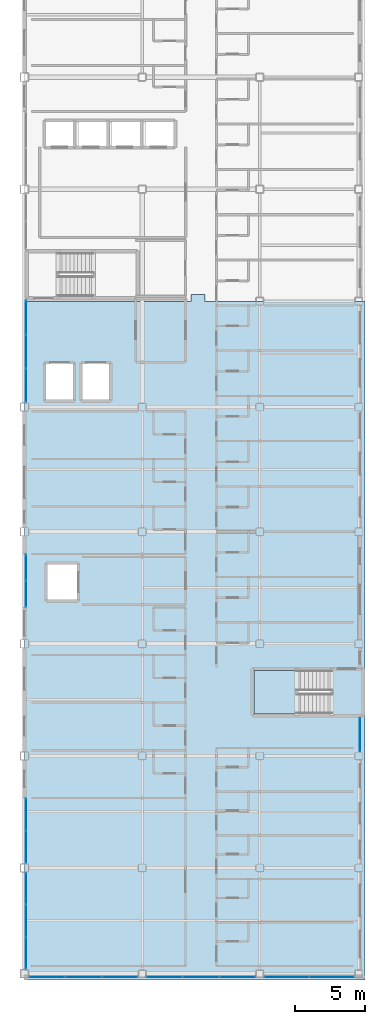
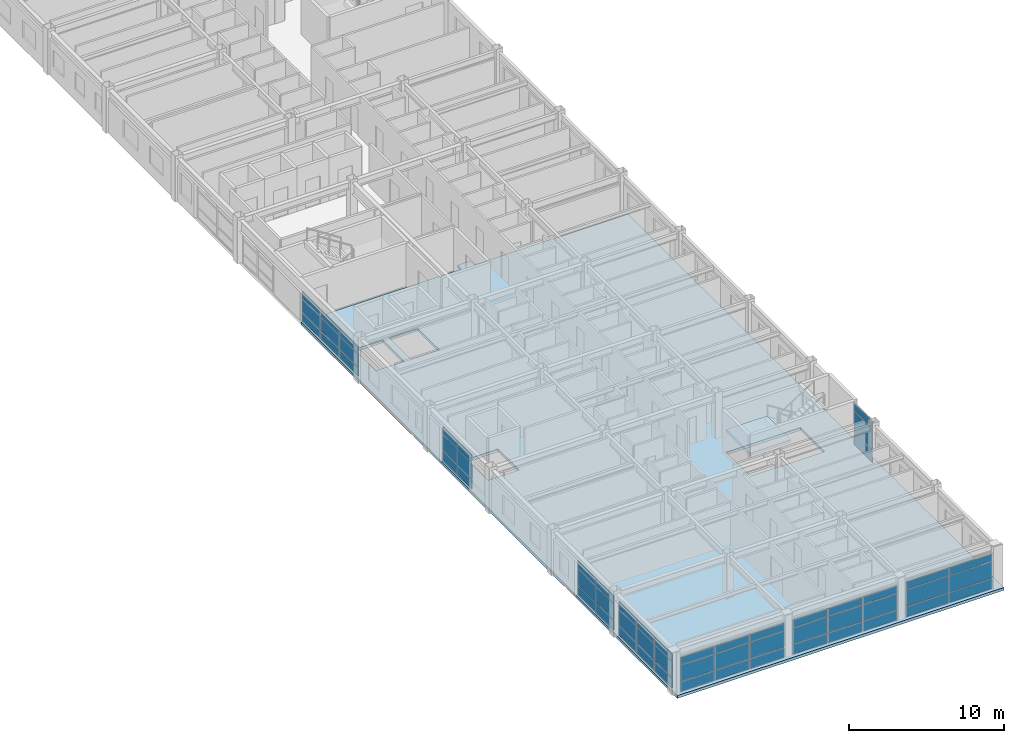
# One storey, part 22 of 36: 57 plates, 2 slabs, 9 elements without a shape of their own.
"""IFC4 building model written with IfcOpenShell, lengths in metres."""

from ifc_helpers import new_model, si_unit, direction, frame, origin, origin_2d, place, context, subcontext, project, spatial, polyline, rectangle, outline, extrude, material, layer, layer_set, type_object, element, aggregate, save


model = new_model("IFC4")

# Units and contexts
model_context = context("Model", 3, precision=1e-05, world=origin(), true_north=direction((0.0, 1.0)))
body_context = subcontext(model_context, "Body", "Model", "MODEL_VIEW")
ifc_project = project(units=[si_unit("LENGTHUNIT", "METRE"), si_unit("AREAUNIT", "SQUARE_METRE"), si_unit("VOLUMEUNIT", "CUBIC_METRE"), si_unit("PLANEANGLEUNIT", "RADIAN"), si_unit("MASSUNIT", "GRAM", prefix="KILO")], contexts=[model_context])

# Site, building, storey
site_placement = place(None, origin())
site = spatial("IfcSite", under=ifc_project, at=site_placement, CompositionType="ELEMENT")
building_placement = place(site_placement, origin())
building = spatial("IfcBuilding", under=site, at=building_placement, Name="Kazehara Bluff Congress Hotel", CompositionType="ELEMENT")
storey_placement = place(building_placement, frame((0.0, 0.0, 28.199951171875)))
storey = spatial("IfcBuildingStorey", under=building, at=storey_placement, Name="L06", CompositionType="ELEMENT", Elevation=28.199951171875)

# Curtain wall, plates
ifc_material_1 = material(Name="Anodised aluminium", Category="aluminium")
ifc_layer_1 = layer(ifc_material_1, 0.159912109375)
ifc_layer_set_1 = layer_set([ifc_layer_1], Name="Anodised aluminium")
curtain_wall_type_1 = type_object("IfcCurtainWallType", Name="TP-CW-171", PredefinedType="NOTDEFINED", material=ifc_layer_set_1)
curtain_wall_1_placement = place(storey_placement, origin())
curtain_wall_1 = element("IfcCurtainWall", 1, at=curtain_wall_1_placement, inside=storey, type_object=curtain_wall_type_1, Name="L06 curtain wall CW-171 CW-ENC-V5-L06-14791-22", PredefinedType="NOTDEFINED")
ifc_material_2 = material(Name="Insulated low-E double glazing", Category="glass")
ifc_layer_2 = layer(ifc_material_2, 0.028076171875)
ifc_layer_set_2 = layer_set([ifc_layer_2], Name="Insulated low-E double glazing")
plate_type_1 = type_object("IfcPlateType", Name="TP-CWP-01", PredefinedType="CURTAIN_PANEL", material=ifc_layer_set_2)
plate_1_placement = place(storey_placement, frame((150.504638671875, 0.219970703125, 0.06494140625), z_axis=(0.0, 0.0, 1.0), x_axis=(-1.0, 0.0, 0.0)))
plate_1 = element("IfcPlate", 2, at=plate_1_placement, type_object=plate_type_1, Name="CW-171 panel 1.1", PredefinedType="CURTAIN_PANEL", context=body_context, shape_type="SweptSolid", body=[
    extrude(rectangle(XDim=2.5107421875, YDim=0.028076171875, at=origin_2d()), origin(), (0.0, 0.0, 1.0), 0.742431640625),
])
plate_2_placement = place(storey_placement, frame((150.504638671875, 0.219970703125, 0.87255859375), z_axis=(0.0, 0.0, 1.0), x_axis=(-1.0, 0.0, 0.0)))
plate_2 = element("IfcPlate", 3, at=plate_2_placement, type_object=plate_type_1, Name="CW-171 panel 1.2", PredefinedType="CURTAIN_PANEL", context=body_context, shape_type="SweptSolid", body=[
    extrude(rectangle(XDim=2.5107421875, YDim=0.028076171875, at=origin_2d()), origin(), (0.0, 0.0, 1.0), 1.25),
])
plate_3_placement = place(storey_placement, frame((150.504638671875, 0.219970703125, 2.1875), z_axis=(0.0, 0.0, 1.0), x_axis=(-1.0, 0.0, 0.0)))
plate_3 = element("IfcPlate", 4, at=plate_3_placement, type_object=plate_type_1, Name="CW-171 panel 1.3", PredefinedType="CURTAIN_PANEL", context=body_context, shape_type="SweptSolid", body=[
    extrude(rectangle(XDim=2.5107421875, YDim=0.028076171875, at=origin_2d()), origin(), (0.0, 0.0, 1.0), 0.552490234375),
])
plate_4_placement = place(storey_placement, frame((147.91259765625, 0.219970703125, 0.06494140625), z_axis=(0.0, 0.0, 1.0), x_axis=(-1.0, 0.0, 0.0)))
plate_4 = element("IfcPlate", 5, at=plate_4_placement, type_object=plate_type_1, Name="CW-171 panel 2.1", PredefinedType="CURTAIN_PANEL", context=body_context, shape_type="SweptSolid", body=[
    extrude(rectangle(XDim=2.543212890625, YDim=0.028076171875, at=origin_2d()), origin(), (0.0, 0.0, 1.0), 0.742431640625),
])
plate_5_placement = place(storey_placement, frame((147.91259765625, 0.219970703125, 0.87255859375), z_axis=(0.0, 0.0, 1.0), x_axis=(-1.0, 0.0, 0.0)))
plate_5 = element("IfcPlate", 6, at=plate_5_placement, type_object=plate_type_1, Name="CW-171 panel 2.2", PredefinedType="CURTAIN_PANEL", context=body_context, shape_type="SweptSolid", body=[
    extrude(rectangle(XDim=2.543212890625, YDim=0.028076171875, at=origin_2d()), origin(), (0.0, 0.0, 1.0), 1.25),
])
plate_6_placement = place(storey_placement, frame((147.91259765625, 0.219970703125, 2.1875), z_axis=(0.0, 0.0, 1.0), x_axis=(-1.0, 0.0, 0.0)))
plate_6 = element("IfcPlate", 7, at=plate_6_placement, type_object=plate_type_1, Name="CW-171 panel 2.3", PredefinedType="CURTAIN_PANEL", context=body_context, shape_type="SweptSolid", body=[
    extrude(rectangle(XDim=2.543212890625, YDim=0.028076171875, at=origin_2d()), origin(), (0.0, 0.0, 1.0), 0.552490234375),
])
plate_7_placement = place(storey_placement, frame((145.3203125, 0.219970703125, 0.06494140625), z_axis=(0.0, 0.0, 1.0), x_axis=(-1.0, 0.0, 0.0)))
plate_7 = element("IfcPlate", 8, at=plate_7_placement, type_object=plate_type_1, Name="CW-171 panel 3.1", PredefinedType="CURTAIN_PANEL", context=body_context, shape_type="SweptSolid", body=[
    extrude(rectangle(XDim=2.5107421875, YDim=0.028076171875, at=origin_2d()), origin(), (0.0, 0.0, 1.0), 0.742431640625),
])
plate_8_placement = place(storey_placement, frame((145.3203125, 0.219970703125, 0.87255859375), z_axis=(0.0, 0.0, 1.0), x_axis=(-1.0, 0.0, 0.0)))
plate_8 = element("IfcPlate", 9, at=plate_8_placement, type_object=plate_type_1, Name="CW-171 panel 3.2", PredefinedType="CURTAIN_PANEL", context=body_context, shape_type="SweptSolid", body=[
    extrude(rectangle(XDim=2.5107421875, YDim=0.028076171875, at=origin_2d()), origin(), (0.0, 0.0, 1.0), 1.25),
])
plate_9_placement = place(storey_placement, frame((145.3203125, 0.219970703125, 2.1875), z_axis=(0.0, 0.0, 1.0), x_axis=(-1.0, 0.0, 0.0)))
plate_9 = element("IfcPlate", 10, at=plate_9_placement, type_object=plate_type_1, Name="CW-171 panel 3.3", PredefinedType="CURTAIN_PANEL", context=body_context, shape_type="SweptSolid", body=[
    extrude(rectangle(XDim=2.5107421875, YDim=0.028076171875, at=origin_2d()), origin(), (0.0, 0.0, 1.0), 0.552490234375),
])
aggregate(curtain_wall_1, [plate_1, plate_2, plate_3, plate_4, plate_5, plate_6, plate_7, plate_8, plate_9])

ifc_material_3 = material(Name="Anodised aluminium", Category="aluminium")
ifc_layer_3 = layer(ifc_material_3, 0.159912109375)
ifc_layer_set_3 = layer_set([ifc_layer_3], Name="Anodised aluminium")
curtain_wall_type_2 = type_object("IfcCurtainWallType", Name="TP-CW-172", PredefinedType="NOTDEFINED", material=ifc_layer_set_3)
curtain_wall_2_placement = place(storey_placement, origin())
curtain_wall_2 = element("IfcCurtainWall", 11, at=curtain_wall_2_placement, inside=storey, type_object=curtain_wall_type_2, Name="L06 curtain wall CW-172 CW-ENC-V5-L06-15630-22", PredefinedType="NOTDEFINED")
plate_10_placement = place(storey_placement, frame((158.900390625, 0.219970703125, 0.06494140625), z_axis=(0.0, 0.0, 1.0), x_axis=(-1.0, 0.0, 0.0)))
plate_10 = element("IfcPlate", 12, at=plate_10_placement, type_object=plate_type_1, Name="CW-172 panel 1.1", PredefinedType="CURTAIN_PANEL", context=body_context, shape_type="SweptSolid", body=[
    extrude(rectangle(XDim=2.519287109375, YDim=0.028076171875, at=origin_2d()), origin(), (0.0, 0.0, 1.0), 0.742431640625),
])
plate_11_placement = place(storey_placement, frame((158.900390625, 0.219970703125, 0.87255859375), z_axis=(0.0, 0.0, 1.0), x_axis=(-1.0, 0.0, 0.0)))
plate_11 = element("IfcPlate", 13, at=plate_11_placement, type_object=plate_type_1, Name="CW-172 panel 1.2", PredefinedType="CURTAIN_PANEL", context=body_context, shape_type="SweptSolid", body=[
    extrude(rectangle(XDim=2.519287109375, YDim=0.028076171875, at=origin_2d()), origin(), (0.0, 0.0, 1.0), 1.25),
])
plate_12_placement = place(storey_placement, frame((158.900390625, 0.219970703125, 2.1875), z_axis=(0.0, 0.0, 1.0), x_axis=(-1.0, 0.0, 0.0)))
plate_12 = element("IfcPlate", 14, at=plate_12_placement, type_object=plate_type_1, Name="CW-172 panel 1.3", PredefinedType="CURTAIN_PANEL", context=body_context, shape_type="SweptSolid", body=[
    extrude(rectangle(XDim=2.519287109375, YDim=0.028076171875, at=origin_2d()), origin(), (0.0, 0.0, 1.0), 0.552490234375),
])
plate_13_placement = place(storey_placement, frame((156.300048828125, 0.219970703125, 0.06494140625), z_axis=(0.0, 0.0, 1.0), x_axis=(-1.0, 0.0, 0.0)))
plate_13 = element("IfcPlate", 15, at=plate_13_placement, type_object=plate_type_1, Name="CW-172 panel 2.1", PredefinedType="CURTAIN_PANEL", context=body_context, shape_type="SweptSolid", body=[
    extrude(rectangle(XDim=2.5517578125, YDim=0.028076171875, at=origin_2d()), origin(), (0.0, 0.0, 1.0), 0.742431640625),
])
plate_14_placement = place(storey_placement, frame((156.300048828125, 0.219970703125, 0.87255859375), z_axis=(0.0, 0.0, 1.0), x_axis=(-1.0, 0.0, 0.0)))
plate_14 = element("IfcPlate", 16, at=plate_14_placement, type_object=plate_type_1, Name="CW-172 panel 2.2", PredefinedType="CURTAIN_PANEL", context=body_context, shape_type="SweptSolid", body=[
    extrude(rectangle(XDim=2.5517578125, YDim=0.028076171875, at=origin_2d()), origin(), (0.0, 0.0, 1.0), 1.25),
])
plate_15_placement = place(storey_placement, frame((156.300048828125, 0.219970703125, 2.1875), z_axis=(0.0, 0.0, 1.0), x_axis=(-1.0, 0.0, 0.0)))
plate_15 = element("IfcPlate", 17, at=plate_15_placement, type_object=plate_type_1, Name="CW-172 panel 2.3", PredefinedType="CURTAIN_PANEL", context=body_context, shape_type="SweptSolid", body=[
    extrude(rectangle(XDim=2.5517578125, YDim=0.028076171875, at=origin_2d()), origin(), (0.0, 0.0, 1.0), 0.552490234375),
])
plate_16_placement = place(storey_placement, frame((153.699462890625, 0.219970703125, 0.06494140625), z_axis=(0.0, 0.0, 1.0), x_axis=(-1.0, 0.0, 0.0)))
plate_16 = element("IfcPlate", 18, at=plate_16_placement, type_object=plate_type_1, Name="CW-172 panel 3.1", PredefinedType="CURTAIN_PANEL", context=body_context, shape_type="SweptSolid", body=[
    extrude(rectangle(XDim=2.519287109375, YDim=0.028076171875, at=origin_2d()), origin(), (0.0, 0.0, 1.0), 0.742431640625),
])
plate_17_placement = place(storey_placement, frame((153.699462890625, 0.219970703125, 0.87255859375), z_axis=(0.0, 0.0, 1.0), x_axis=(-1.0, 0.0, 0.0)))
plate_17 = element("IfcPlate", 19, at=plate_17_placement, type_object=plate_type_1, Name="CW-172 panel 3.2", PredefinedType="CURTAIN_PANEL", context=body_context, shape_type="SweptSolid", body=[
    extrude(rectangle(XDim=2.519287109375, YDim=0.028076171875, at=origin_2d()), origin(), (0.0, 0.0, 1.0), 1.25),
])
plate_18_placement = place(storey_placement, frame((153.699462890625, 0.219970703125, 2.1875), z_axis=(0.0, 0.0, 1.0), x_axis=(-1.0, 0.0, 0.0)))
plate_18 = element("IfcPlate", 20, at=plate_18_placement, type_object=plate_type_1, Name="CW-172 panel 3.3", PredefinedType="CURTAIN_PANEL", context=body_context, shape_type="SweptSolid", body=[
    extrude(rectangle(XDim=2.519287109375, YDim=0.028076171875, at=origin_2d()), origin(), (0.0, 0.0, 1.0), 0.552490234375),
])
aggregate(curtain_wall_2, [plate_10, plate_11, plate_12, plate_13, plate_14, plate_15, plate_16, plate_17, plate_18])

ifc_material_4 = material(Name="Anodised aluminium", Category="aluminium")
ifc_layer_4 = layer(ifc_material_4, 0.159912109375)
ifc_layer_set_4 = layer_set([ifc_layer_4], Name="Anodised aluminium")
curtain_wall_type_3 = type_object("IfcCurtainWallType", Name="TP-CW-173", PredefinedType="NOTDEFINED", material=ifc_layer_set_4)
curtain_wall_3_placement = place(storey_placement, origin())
curtain_wall_3 = element("IfcCurtainWall", 21, at=curtain_wall_3_placement, inside=storey, type_object=curtain_wall_type_3, Name="L06 curtain wall CW-173 CW-ENC-V5-L06-16402-22", PredefinedType="NOTDEFINED")
plate_19_placement = place(storey_placement, frame((165.635009765625, 0.219970703125, 0.06005859375), z_axis=(0.0, 0.0, 1.0), x_axis=(-1.0, 0.0, 0.0)))
plate_19 = element("IfcPlate", 22, at=plate_19_placement, type_object=plate_type_1, Name="CW-173 panel 1.1", PredefinedType="CURTAIN_PANEL", context=body_context, shape_type="SweptSolid", body=[
    extrude(rectangle(XDim=3.159912109375, YDim=0.028076171875, at=origin_2d()), origin(), (0.0, 0.0, 1.0), 0.764892578125),
])
plate_20_placement = place(storey_placement, frame((165.635009765625, 0.219970703125, 0.885009765625), z_axis=(0.0, 0.0, 1.0), x_axis=(-1.0, 0.0, 0.0)))
plate_20 = element("IfcPlate", 23, at=plate_20_placement, type_object=plate_type_1, Name="CW-173 panel 1.2", PredefinedType="CURTAIN_PANEL", context=body_context, shape_type="SweptSolid", body=[
    extrude(rectangle(XDim=3.159912109375, YDim=0.028076171875, at=origin_2d()), origin(), (0.0, 0.0, 1.0), 1.2900390625),
])
plate_21_placement = place(storey_placement, frame((165.635009765625, 0.219970703125, 2.235107421875), z_axis=(0.0, 0.0, 1.0), x_axis=(-1.0, 0.0, 0.0)))
plate_21 = element("IfcPlate", 24, at=plate_21_placement, type_object=plate_type_1, Name="CW-173 panel 1.3", PredefinedType="CURTAIN_PANEL", context=body_context, shape_type="SweptSolid", body=[
    extrude(rectangle(XDim=3.159912109375, YDim=0.028076171875, at=origin_2d()), origin(), (0.0, 0.0, 1.0), 0.56005859375),
])
plate_22_placement = place(storey_placement, frame((162.4150390625, 0.219970703125, 0.06005859375), z_axis=(0.0, 0.0, 1.0), x_axis=(-1.0, 0.0, 0.0)))
plate_22 = element("IfcPlate", 25, at=plate_22_placement, type_object=plate_type_1, Name="CW-173 panel 2.1", PredefinedType="CURTAIN_PANEL", context=body_context, shape_type="SweptSolid", body=[
    extrude(rectangle(XDim=3.159912109375, YDim=0.028076171875, at=origin_2d()), origin(), (0.0, 0.0, 1.0), 0.764892578125),
])
plate_23_placement = place(storey_placement, frame((162.4150390625, 0.219970703125, 0.885009765625), z_axis=(0.0, 0.0, 1.0), x_axis=(-1.0, 0.0, 0.0)))
plate_23 = element("IfcPlate", 26, at=plate_23_placement, type_object=plate_type_1, Name="CW-173 panel 2.2", PredefinedType="CURTAIN_PANEL", context=body_context, shape_type="SweptSolid", body=[
    extrude(rectangle(XDim=3.159912109375, YDim=0.028076171875, at=origin_2d()), origin(), (0.0, 0.0, 1.0), 1.2900390625),
])
plate_24_placement = place(storey_placement, frame((162.4150390625, 0.219970703125, 2.235107421875), z_axis=(0.0, 0.0, 1.0), x_axis=(-1.0, 0.0, 0.0)))
plate_24 = element("IfcPlate", 27, at=plate_24_placement, type_object=plate_type_1, Name="CW-173 panel 2.3", PredefinedType="CURTAIN_PANEL", context=body_context, shape_type="SweptSolid", body=[
    extrude(rectangle(XDim=3.159912109375, YDim=0.028076171875, at=origin_2d()), origin(), (0.0, 0.0, 1.0), 0.56005859375),
])
aggregate(curtain_wall_3, [plate_19, plate_20, plate_21, plate_22, plate_23, plate_24])

ifc_material_5 = material(Name="Anodised aluminium", Category="aluminium")
ifc_layer_5 = layer(ifc_material_5, 0.159912109375)
ifc_layer_set_5 = layer_set([ifc_layer_5], Name="Anodised aluminium")
curtain_wall_type_4 = type_object("IfcCurtainWallType", Name="TP-CW-180", PredefinedType="NOTDEFINED", material=ifc_layer_set_5)
curtain_wall_4_placement = place(storey_placement, origin())
curtain_wall_4 = element("IfcCurtainWall", 28, at=curtain_wall_4_placement, inside=storey, type_object=curtain_wall_type_4, Name="L06 curtain wall CW-180 CW-ENC-V5-L06-14380-422", PredefinedType="NOTDEFINED")
plate_25_placement = place(storey_placement, frame((143.800048828125, 1.924560546875, 0.06494140625), z_axis=(0.0, 0.0, 1.0), x_axis=(0.0, 1.0, 0.0)))
plate_25 = element("IfcPlate", 29, at=plate_25_placement, type_object=plate_type_1, Name="CW-180 panel 1.1", PredefinedType="CURTAIN_PANEL", context=body_context, shape_type="SweptSolid", body=[
    extrude(rectangle(XDim=2.21923828125, YDim=0.028076171875, at=origin_2d()), origin(), (0.0, 0.0, 1.0), 0.742431640625),
])
plate_26_placement = place(storey_placement, frame((143.800048828125, 1.924560546875, 0.87255859375), z_axis=(0.0, 0.0, 1.0), x_axis=(0.0, 1.0, 0.0)))
plate_26 = element("IfcPlate", 30, at=plate_26_placement, type_object=plate_type_1, Name="CW-180 panel 1.2", PredefinedType="CURTAIN_PANEL", context=body_context, shape_type="SweptSolid", body=[
    extrude(rectangle(XDim=2.21923828125, YDim=0.028076171875, at=origin_2d()), origin(), (0.0, 0.0, 1.0), 1.25),
])
plate_27_placement = place(storey_placement, frame((143.800048828125, 1.924560546875, 2.1875), z_axis=(0.0, 0.0, 1.0), x_axis=(0.0, 1.0, 0.0)))
plate_27 = element("IfcPlate", 31, at=plate_27_placement, type_object=plate_type_1, Name="CW-180 panel 1.3", PredefinedType="CURTAIN_PANEL", context=body_context, shape_type="SweptSolid", body=[
    extrude(rectangle(XDim=2.21923828125, YDim=0.028076171875, at=origin_2d()), origin(), (0.0, 0.0, 1.0), 0.552490234375),
])
plate_28_placement = place(storey_placement, frame((143.800048828125, 4.22509765625, 0.06494140625), z_axis=(0.0, 0.0, 1.0), x_axis=(0.0, 1.0, 0.0)))
plate_28 = element("IfcPlate", 32, at=plate_28_placement, type_object=plate_type_1, Name="CW-180 panel 2.1", PredefinedType="CURTAIN_PANEL", context=body_context, shape_type="SweptSolid", body=[
    extrude(rectangle(XDim=2.251708984375, YDim=0.028076171875, at=origin_2d()), origin(), (0.0, 0.0, 1.0), 0.742431640625),
])
plate_29_placement = place(storey_placement, frame((143.800048828125, 4.22509765625, 0.87255859375), z_axis=(0.0, 0.0, 1.0), x_axis=(0.0, 1.0, 0.0)))
plate_29 = element("IfcPlate", 33, at=plate_29_placement, type_object=plate_type_1, Name="CW-180 panel 2.2", PredefinedType="CURTAIN_PANEL", context=body_context, shape_type="SweptSolid", body=[
    extrude(rectangle(XDim=2.251708984375, YDim=0.028076171875, at=origin_2d()), origin(), (0.0, 0.0, 1.0), 1.25),
])
plate_30_placement = place(storey_placement, frame((143.800048828125, 4.22509765625, 2.1875), z_axis=(0.0, 0.0, 1.0), x_axis=(0.0, 1.0, 0.0)))
plate_30 = element("IfcPlate", 34, at=plate_30_placement, type_object=plate_type_1, Name="CW-180 panel 2.3", PredefinedType="CURTAIN_PANEL", context=body_context, shape_type="SweptSolid", body=[
    extrude(rectangle(XDim=2.251708984375, YDim=0.028076171875, at=origin_2d()), origin(), (0.0, 0.0, 1.0), 0.552490234375),
])
plate_31_placement = place(storey_placement, frame((143.800048828125, 6.525390625, 0.06494140625), z_axis=(0.0, 0.0, 1.0), x_axis=(0.0, 1.0, 0.0)))
plate_31 = element("IfcPlate", 35, at=plate_31_placement, type_object=plate_type_1, Name="CW-180 panel 3.1", PredefinedType="CURTAIN_PANEL", context=body_context, shape_type="SweptSolid", body=[
    extrude(rectangle(XDim=2.21923828125, YDim=0.028076171875, at=origin_2d()), origin(), (0.0, 0.0, 1.0), 0.742431640625),
])
plate_32_placement = place(storey_placement, frame((143.800048828125, 6.525390625, 0.87255859375), z_axis=(0.0, 0.0, 1.0), x_axis=(0.0, 1.0, 0.0)))
plate_32 = element("IfcPlate", 36, at=plate_32_placement, type_object=plate_type_1, Name="CW-180 panel 3.2", PredefinedType="CURTAIN_PANEL", context=body_context, shape_type="SweptSolid", body=[
    extrude(rectangle(XDim=2.21923828125, YDim=0.028076171875, at=origin_2d()), origin(), (0.0, 0.0, 1.0), 1.25),
])
plate_33_placement = place(storey_placement, frame((143.800048828125, 6.525390625, 2.1875), z_axis=(0.0, 0.0, 1.0), x_axis=(0.0, 1.0, 0.0)))
plate_33 = element("IfcPlate", 37, at=plate_33_placement, type_object=plate_type_1, Name="CW-180 panel 3.3", PredefinedType="CURTAIN_PANEL", context=body_context, shape_type="SweptSolid", body=[
    extrude(rectangle(XDim=2.21923828125, YDim=0.028076171875, at=origin_2d()), origin(), (0.0, 0.0, 1.0), 0.552490234375),
])
aggregate(curtain_wall_4, [plate_25, plate_26, plate_27, plate_28, plate_29, plate_30, plate_31, plate_32, plate_33])

ifc_material_6 = material(Name="Anodised aluminium", Category="aluminium")
ifc_layer_6 = layer(ifc_material_6, 0.159912109375)
ifc_layer_set_6 = layer_set([ifc_layer_6], Name="Anodised aluminium")
curtain_wall_type_5 = type_object("IfcCurtainWallType", Name="TP-CW-181", PredefinedType="NOTDEFINED", material=ifc_layer_set_6)
curtain_wall_5_placement = place(storey_placement, origin())
curtain_wall_5 = element("IfcCurtainWall", 38, at=curtain_wall_5_placement, inside=storey, type_object=curtain_wall_type_5, Name="L06 curtain wall CW-181 CW-ENC-V5-L06-14380-1065", PredefinedType="NOTDEFINED")
plate_34_placement = place(storey_placement, frame((143.800048828125, 9.489990234375, 0.06005859375), z_axis=(0.0, 0.0, 1.0), x_axis=(0.0, 1.0, 0.0)))
plate_34 = element("IfcPlate", 39, at=plate_34_placement, type_object=plate_type_1, Name="CW-181 panel 1.1", PredefinedType="CURTAIN_PANEL", context=body_context, shape_type="SweptSolid", body=[
    extrude(rectangle(XDim=2.260009765625, YDim=0.028076171875, at=origin_2d()), origin(), (0.0, 0.0, 1.0), 0.75),
])
plate_35_placement = place(storey_placement, frame((143.800048828125, 9.489990234375, 0.8701171875), z_axis=(0.0, 0.0, 1.0), x_axis=(0.0, 1.0, 0.0)))
plate_35 = element("IfcPlate", 40, at=plate_35_placement, type_object=plate_type_1, Name="CW-181 panel 1.2", PredefinedType="CURTAIN_PANEL", context=body_context, shape_type="SweptSolid", body=[
    extrude(rectangle(XDim=2.260009765625, YDim=0.028076171875, at=origin_2d()), origin(), (0.0, 0.0, 1.0), 1.2548828125),
])
plate_36_placement = place(storey_placement, frame((143.800048828125, 9.489990234375, 2.18505859375), z_axis=(0.0, 0.0, 1.0), x_axis=(0.0, 1.0, 0.0)))
plate_36 = element("IfcPlate", 41, at=plate_36_placement, type_object=plate_type_1, Name="CW-181 panel 1.3", PredefinedType="CURTAIN_PANEL", context=body_context, shape_type="SweptSolid", body=[
    extrude(rectangle(XDim=2.260009765625, YDim=0.028076171875, at=origin_2d()), origin(), (0.0, 0.0, 1.0), 0.56005859375),
])
plate_37_placement = place(storey_placement, frame((143.800048828125, 11.81005859375, 0.06005859375), z_axis=(0.0, 0.0, 1.0), x_axis=(0.0, 1.0, 0.0)))
plate_37 = element("IfcPlate", 42, at=plate_37_placement, type_object=plate_type_1, Name="CW-181 panel 2.1", PredefinedType="CURTAIN_PANEL", context=body_context, shape_type="SweptSolid", body=[
    extrude(rectangle(XDim=2.260009765625, YDim=0.028076171875, at=origin_2d()), origin(), (0.0, 0.0, 1.0), 0.75),
])
plate_38_placement = place(storey_placement, frame((143.800048828125, 11.81005859375, 0.8701171875), z_axis=(0.0, 0.0, 1.0), x_axis=(0.0, 1.0, 0.0)))
plate_38 = element("IfcPlate", 43, at=plate_38_placement, type_object=plate_type_1, Name="CW-181 panel 2.2", PredefinedType="CURTAIN_PANEL", context=body_context, shape_type="SweptSolid", body=[
    extrude(rectangle(XDim=2.260009765625, YDim=0.028076171875, at=origin_2d()), origin(), (0.0, 0.0, 1.0), 1.2548828125),
])
plate_39_placement = place(storey_placement, frame((143.800048828125, 11.81005859375, 2.18505859375), z_axis=(0.0, 0.0, 1.0), x_axis=(0.0, 1.0, 0.0)))
plate_39 = element("IfcPlate", 44, at=plate_39_placement, type_object=plate_type_1, Name="CW-181 panel 2.3", PredefinedType="CURTAIN_PANEL", context=body_context, shape_type="SweptSolid", body=[
    extrude(rectangle(XDim=2.260009765625, YDim=0.028076171875, at=origin_2d()), origin(), (0.0, 0.0, 1.0), 0.56005859375),
])
aggregate(curtain_wall_5, [plate_34, plate_35, plate_36, plate_37, plate_38, plate_39])

ifc_material_7 = material(Name="Anodised aluminium", Category="aluminium")
ifc_layer_7 = layer(ifc_material_7, 0.159912109375)
ifc_layer_set_7 = layer_set([ifc_layer_7], Name="Anodised aluminium")
curtain_wall_type_6 = type_object("IfcCurtainWallType", Name="TP-CW-177", PredefinedType="NOTDEFINED", material=ifc_layer_set_7)
curtain_wall_6_placement = place(storey_placement, origin())
curtain_wall_6 = element("IfcCurtainWall", 45, at=curtain_wall_6_placement, inside=storey, type_object=curtain_wall_type_6, Name="L06 curtain wall CW-177 CW-ENC-V5-L06-14380-4487", PredefinedType="NOTDEFINED")
plate_40_placement = place(storey_placement, frame((143.800048828125, 42.439697265625, 0.06494140625), z_axis=(0.0, 0.0, 1.0), x_axis=(0.0, 1.0, 0.0)))
plate_40 = element("IfcPlate", 46, at=plate_40_placement, type_object=plate_type_1, Name="CW-177 panel 1.1", PredefinedType="CURTAIN_PANEL", context=body_context, shape_type="SweptSolid", body=[
    extrude(rectangle(XDim=2.34912109375, YDim=0.028076171875, at=origin_2d()), origin(), (0.0, 0.0, 1.0), 0.637451171875),
])
plate_41_placement = place(storey_placement, frame((143.800048828125, 42.439697265625, 0.767578125), z_axis=(0.0, 0.0, 1.0), x_axis=(0.0, 1.0, 0.0)))
plate_41 = element("IfcPlate", 47, at=plate_41_placement, type_object=plate_type_1, Name="CW-177 panel 1.2", PredefinedType="CURTAIN_PANEL", context=body_context, shape_type="SweptSolid", body=[
    extrude(rectangle(XDim=2.34912109375, YDim=0.028076171875, at=origin_2d()), origin(), (0.0, 0.0, 1.0), 1.0048828125),
])
plate_42_placement = place(storey_placement, frame((143.800048828125, 42.439697265625, 1.83740234375), z_axis=(0.0, 0.0, 1.0), x_axis=(0.0, 1.0, 0.0)))
plate_42 = element("IfcPlate", 48, at=plate_42_placement, type_object=plate_type_1, Name="CW-177 panel 1.3", PredefinedType="CURTAIN_PANEL", context=body_context, shape_type="SweptSolid", body=[
    extrude(rectangle(XDim=2.34912109375, YDim=0.028076171875, at=origin_2d()), origin(), (0.0, 0.0, 1.0), 0.552490234375),
])
plate_43_placement = place(storey_placement, frame((143.800048828125, 44.8701171875, 0.06494140625), z_axis=(0.0, 0.0, 1.0), x_axis=(0.0, 1.0, 0.0)))
plate_43 = element("IfcPlate", 49, at=plate_43_placement, type_object=plate_type_1, Name="CW-177 panel 2.1", PredefinedType="CURTAIN_PANEL", context=body_context, shape_type="SweptSolid", body=[
    extrude(rectangle(XDim=2.381591796875, YDim=0.028076171875, at=origin_2d()), origin(), (0.0, 0.0, 1.0), 0.637451171875),
])
plate_44_placement = place(storey_placement, frame((143.800048828125, 44.8701171875, 0.767578125), z_axis=(0.0, 0.0, 1.0), x_axis=(0.0, 1.0, 0.0)))
plate_44 = element("IfcPlate", 50, at=plate_44_placement, type_object=plate_type_1, Name="CW-177 panel 2.2", PredefinedType="CURTAIN_PANEL", context=body_context, shape_type="SweptSolid", body=[
    extrude(rectangle(XDim=2.381591796875, YDim=0.028076171875, at=origin_2d()), origin(), (0.0, 0.0, 1.0), 1.0048828125),
])
plate_45_placement = place(storey_placement, frame((143.800048828125, 44.8701171875, 1.83740234375), z_axis=(0.0, 0.0, 1.0), x_axis=(0.0, 1.0, 0.0)))
plate_45 = element("IfcPlate", 51, at=plate_45_placement, type_object=plate_type_1, Name="CW-177 panel 2.3", PredefinedType="CURTAIN_PANEL", context=body_context, shape_type="SweptSolid", body=[
    extrude(rectangle(XDim=2.381591796875, YDim=0.028076171875, at=origin_2d()), origin(), (0.0, 0.0, 1.0), 0.552490234375),
])
plate_46_placement = place(storey_placement, frame((143.800048828125, 47.300537109375, 0.06494140625), z_axis=(0.0, 0.0, 1.0), x_axis=(0.0, 1.0, 0.0)))
plate_46 = element("IfcPlate", 52, at=plate_46_placement, type_object=plate_type_1, Name="CW-177 panel 3.1", PredefinedType="CURTAIN_PANEL", context=body_context, shape_type="SweptSolid", body=[
    extrude(rectangle(XDim=2.34912109375, YDim=0.028076171875, at=origin_2d()), origin(), (0.0, 0.0, 1.0), 0.637451171875),
])
plate_47_placement = place(storey_placement, frame((143.800048828125, 47.300537109375, 0.767578125), z_axis=(0.0, 0.0, 1.0), x_axis=(0.0, 1.0, 0.0)))
plate_47 = element("IfcPlate", 53, at=plate_47_placement, type_object=plate_type_1, Name="CW-177 panel 3.2", PredefinedType="CURTAIN_PANEL", context=body_context, shape_type="SweptSolid", body=[
    extrude(rectangle(XDim=2.34912109375, YDim=0.028076171875, at=origin_2d()), origin(), (0.0, 0.0, 1.0), 1.0048828125),
])
plate_48_placement = place(storey_placement, frame((143.800048828125, 47.300537109375, 1.83740234375), z_axis=(0.0, 0.0, 1.0), x_axis=(0.0, 1.0, 0.0)))
plate_48 = element("IfcPlate", 54, at=plate_48_placement, type_object=plate_type_1, Name="CW-177 panel 3.3", PredefinedType="CURTAIN_PANEL", context=body_context, shape_type="SweptSolid", body=[
    extrude(rectangle(XDim=2.34912109375, YDim=0.028076171875, at=origin_2d()), origin(), (0.0, 0.0, 1.0), 0.552490234375),
])
aggregate(curtain_wall_6, [plate_40, plate_41, plate_42, plate_43, plate_44, plate_45, plate_46, plate_47, plate_48])

ifc_material_8 = material(Name="Anodised aluminium", Category="aluminium")
ifc_layer_8 = layer(ifc_material_8, 0.159912109375)
ifc_layer_set_8 = layer_set([ifc_layer_8], Name="Anodised aluminium")
curtain_wall_type_7 = type_object("IfcCurtainWallType", Name="TP-CW-174", PredefinedType="NOTDEFINED", material=ifc_layer_set_8)
curtain_wall_7_placement = place(storey_placement, origin())
curtain_wall_7 = element("IfcCurtainWall", 55, at=curtain_wall_7_placement, inside=storey, type_object=curtain_wall_type_7, Name="L06 curtain wall CW-174 CW-ENC-V5-L06-16765-1751", PredefinedType="NOTDEFINED")
ifc_material_9 = material(Name="Insulated low-E double glazing", Category="glass")
ifc_layer_9 = layer(ifc_material_9, 0.02001953125)
ifc_layer_set_9 = layer_set([ifc_layer_9], Name="Insulated low-E double glazing")
plate_type_2 = type_object("IfcPlateType", Name="TP-CWP-03", PredefinedType="CURTAIN_PANEL", material=ifc_layer_set_9)
plate_49_placement = place(storey_placement, frame((167.64990234375, 17.507568359375, 0.06005859375), z_axis=(0.0, 0.0, 1.0), x_axis=(0.0, -1.0, 0.0)))
plate_49 = element("IfcPlate", 56, at=plate_49_placement, type_object=plate_type_2, Name="CW-174 panel 1.1", PredefinedType="CURTAIN_PANEL", context=body_context, shape_type="SweptSolid", body=[
    extrude(rectangle(XDim=2.344970703125, YDim=0.02001953125, at=origin_2d()), origin(), (0.0, 0.0, 1.0), 0.919921875),
])
plate_50_placement = place(storey_placement, frame((167.64990234375, 17.507568359375, 1.0400390625), z_axis=(0.0, 0.0, 1.0), x_axis=(0.0, -1.0, 0.0)))
plate_50 = element("IfcPlate", 57, at=plate_50_placement, type_object=plate_type_2, Name="CW-174 panel 1.2", PredefinedType="CURTAIN_PANEL", context=body_context, shape_type="SweptSolid", body=[
    extrude(rectangle(XDim=2.344970703125, YDim=0.02001953125, at=origin_2d()), origin(), (0.0, 0.0, 1.0), 1.64501953125),
])
plate_51_placement = place(storey_placement, frame((167.64990234375, 17.507568359375, 2.7451171875), z_axis=(0.0, 0.0, 1.0), x_axis=(0.0, -1.0, 0.0)))
plate_51 = element("IfcPlate", 58, at=plate_51_placement, type_object=plate_type_2, Name="CW-174 panel 1.3", PredefinedType="CURTAIN_PANEL", context=body_context, shape_type="SweptSolid", body=[
    extrude(rectangle(XDim=2.344970703125, YDim=0.02001953125, at=origin_2d()), origin(), (0.0, 0.0, 1.0), 0.56005859375),
])
aggregate(curtain_wall_7, [plate_49, plate_50, plate_51])

ifc_material_10 = material(Name="Anodised aluminium", Category="aluminium")
ifc_layer_10 = layer(ifc_material_10, 0.159912109375)
ifc_layer_set_10 = layer_set([ifc_layer_10], Name="Anodised aluminium")
curtain_wall_type_8 = type_object("IfcCurtainWallType", Name="TP-CW-176", PredefinedType="NOTDEFINED", material=ifc_layer_set_10)
curtain_wall_8_placement = place(storey_placement, origin())
curtain_wall_8 = element("IfcCurtainWall", 59, at=curtain_wall_8_placement, inside=storey, type_object=curtain_wall_type_8, Name="L06 curtain wall CW-176 CW-ENC-V5-L06-14380-2850", PredefinedType="NOTDEFINED")
plate_52_placement = place(storey_placement, frame((143.800048828125, 27.56494140625, 0.06005859375), z_axis=(0.0, 0.0, 1.0), x_axis=(0.0, 1.0, 0.0)))
plate_52 = element("IfcPlate", 60, at=plate_52_placement, type_object=plate_type_2, Name="CW-176 panel 1.1", PredefinedType="CURTAIN_PANEL", context=body_context, shape_type="SweptSolid", body=[
    extrude(rectangle(XDim=1.81005859375, YDim=0.02001953125, at=origin_2d()), origin(), (0.0, 0.0, 1.0), 0.75),
])
plate_53_placement = place(storey_placement, frame((143.800048828125, 27.56494140625, 0.8701171875), z_axis=(0.0, 0.0, 1.0), x_axis=(0.0, 1.0, 0.0)))
plate_53 = element("IfcPlate", 61, at=plate_53_placement, type_object=plate_type_2, Name="CW-176 panel 1.2", PredefinedType="CURTAIN_PANEL", context=body_context, shape_type="SweptSolid", body=[
    extrude(rectangle(XDim=1.81005859375, YDim=0.02001953125, at=origin_2d()), origin(), (0.0, 0.0, 1.0), 1.2548828125),
])
plate_54_placement = place(storey_placement, frame((143.800048828125, 27.56494140625, 2.18505859375), z_axis=(0.0, 0.0, 1.0), x_axis=(0.0, 1.0, 0.0)))
plate_54 = element("IfcPlate", 62, at=plate_54_placement, type_object=plate_type_2, Name="CW-176 panel 1.3", PredefinedType="CURTAIN_PANEL", context=body_context, shape_type="SweptSolid", body=[
    extrude(rectangle(XDim=1.81005859375, YDim=0.02001953125, at=origin_2d()), origin(), (0.0, 0.0, 1.0), 0.56005859375),
])
plate_55_placement = place(storey_placement, frame((143.800048828125, 29.43505859375, 0.06005859375), z_axis=(0.0, 0.0, 1.0), x_axis=(0.0, 1.0, 0.0)))
plate_55 = element("IfcPlate", 63, at=plate_55_placement, type_object=plate_type_2, Name="CW-176 panel 2.1", PredefinedType="CURTAIN_PANEL", context=body_context, shape_type="SweptSolid", body=[
    extrude(rectangle(XDim=1.81005859375, YDim=0.02001953125, at=origin_2d()), origin(), (0.0, 0.0, 1.0), 0.75),
])
plate_56_placement = place(storey_placement, frame((143.800048828125, 29.43505859375, 0.8701171875), z_axis=(0.0, 0.0, 1.0), x_axis=(0.0, 1.0, 0.0)))
plate_56 = element("IfcPlate", 64, at=plate_56_placement, type_object=plate_type_2, Name="CW-176 panel 2.2", PredefinedType="CURTAIN_PANEL", context=body_context, shape_type="SweptSolid", body=[
    extrude(rectangle(XDim=1.81005859375, YDim=0.02001953125, at=origin_2d()), origin(), (0.0, 0.0, 1.0), 1.2548828125),
])
plate_57_placement = place(storey_placement, frame((143.800048828125, 29.43505859375, 2.18505859375), z_axis=(0.0, 0.0, 1.0), x_axis=(0.0, 1.0, 0.0)))
plate_57 = element("IfcPlate", 65, at=plate_57_placement, type_object=plate_type_2, Name="CW-176 panel 2.3", PredefinedType="CURTAIN_PANEL", context=body_context, shape_type="SweptSolid", body=[
    extrude(rectangle(XDim=1.81005859375, YDim=0.02001953125, at=origin_2d()), origin(), (0.0, 0.0, 1.0), 0.56005859375),
])
aggregate(curtain_wall_8, [plate_52, plate_53, plate_54, plate_55, plate_56, plate_57])

# Slab
ifc_material_11 = material(Name="Concrete C36/45", Category="concrete")
ifc_layer_11 = layer(ifc_material_11, 0.219970703125)
ifc_layer_set_11 = layer_set([ifc_layer_11], Name="Concrete C36/45")
slab_type_1 = type_object("IfcSlabType", Name="TP-SL-220", PredefinedType="FLOOR", material=ifc_layer_set_11)
slab_1_placement = place(storey_placement, frame((0.0, 0.0, -0.219970703125)))
element("IfcSlab", 66, at=slab_1_placement, inside=storey, type_object=slab_type_1, Name="L06 V5 composite floor slab S", PredefinedType="FLOOR", context=body_context, shape_type="SweptSolid", body=[
    extrude(outline(polyline([(143.699951171875, 0.0), (143.699951171875, 48.449951171875), (155.60009765625, 48.449951171875), (155.60009765625, 48.949951171875), (156.60009765625, 48.949951171875), (156.60009765625, 48.449951171875), (168.0, 48.449951171875), (168.0, 0.0), (143.699951171875, 0.0)]), holes=[polyline([(165.625, 22.10009765625), (160.10009765625, 22.10009765625), (160.10009765625, 19.0), (165.625, 19.0), (165.625, 22.10009765625)]), polyline([(145.14990234375, 41.324951171875), (147.25, 41.324951171875), (147.25, 44.074951171875), (145.14990234375, 44.074951171875), (145.14990234375, 41.324951171875)]), polyline([(147.75, 41.324951171875), (149.85009765625, 41.324951171875), (149.85009765625, 44.074951171875), (147.75, 44.074951171875), (147.75, 41.324951171875)]), polyline([(145.25, 27.050048828125), (147.550048828125, 27.050048828125), (147.550048828125, 29.75), (145.25, 29.75), (145.25, 27.050048828125)])]), origin(), (0.0, 0.0, 1.0), 0.219970703125),
])

# Stair, slab
ifc_material_12 = material(Name="Concrete C36/45", Category="concrete")
stair_type = type_object("IfcStairType", Name="TP-ST-T03", PredefinedType="HALF_TURN_STAIR", material=ifc_material_12)
stair_placement = place(storey_placement, origin())
stair = element("IfcStair", 67, at=stair_placement, inside=storey, type_object=stair_type, Name="L06 Escape stair ST-10", PredefinedType="HALF_TURN_STAIR")
ifc_material_13 = material(Name="Concrete C36/45", Category="concrete")
ifc_layer_12 = layer(ifc_material_13, 0.199951171875)
ifc_layer_set_12 = layer_set([ifc_layer_12], Name="Concrete C36/45")
slab_type_2 = type_object("IfcSlabType", Name="TP-SLD-200", PredefinedType="LANDING", material=ifc_layer_set_12)
slab_2_placement = place(storey_placement, frame((0.0, 0.0, 1.60009765625)))
slab_2 = element("IfcSlab", 68, at=slab_2_placement, type_object=slab_type_2, Name="ST-10 landing 1", PredefinedType="LANDING", context=body_context, shape_type="SweptSolid", body=[
    extrude(outline(polyline([(163.1298828125, 22.10009765625), (160.10009765625, 22.10009765625), (160.10009765625, 19.0), (163.1298828125, 19.0), (163.1298828125, 22.10009765625)])), origin(), (0.0, 0.0, 1.0), 0.199951171875),
])
aggregate(stair, [slab_2])

save(model, "model.ifc")
